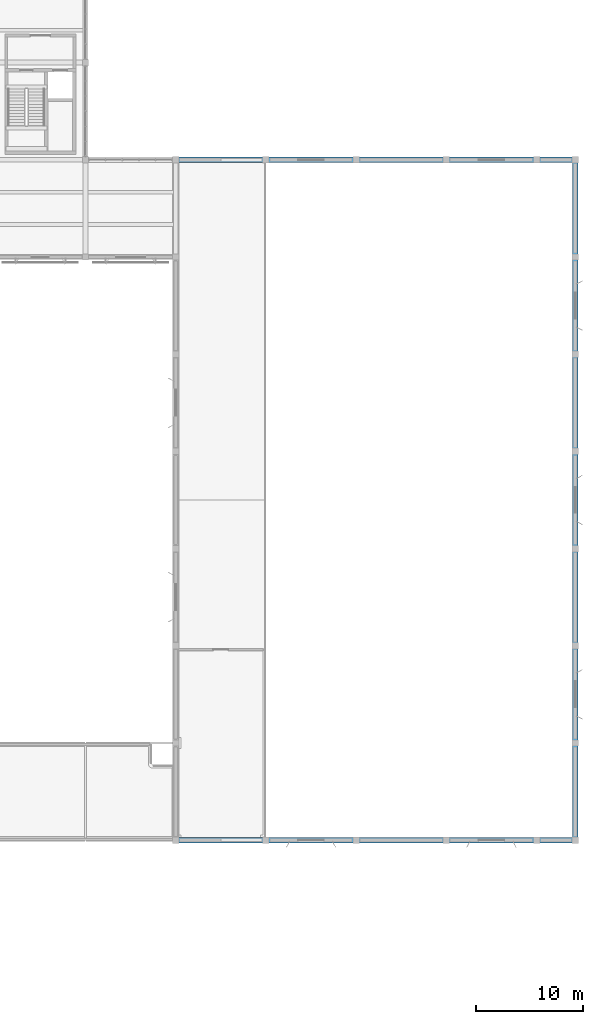
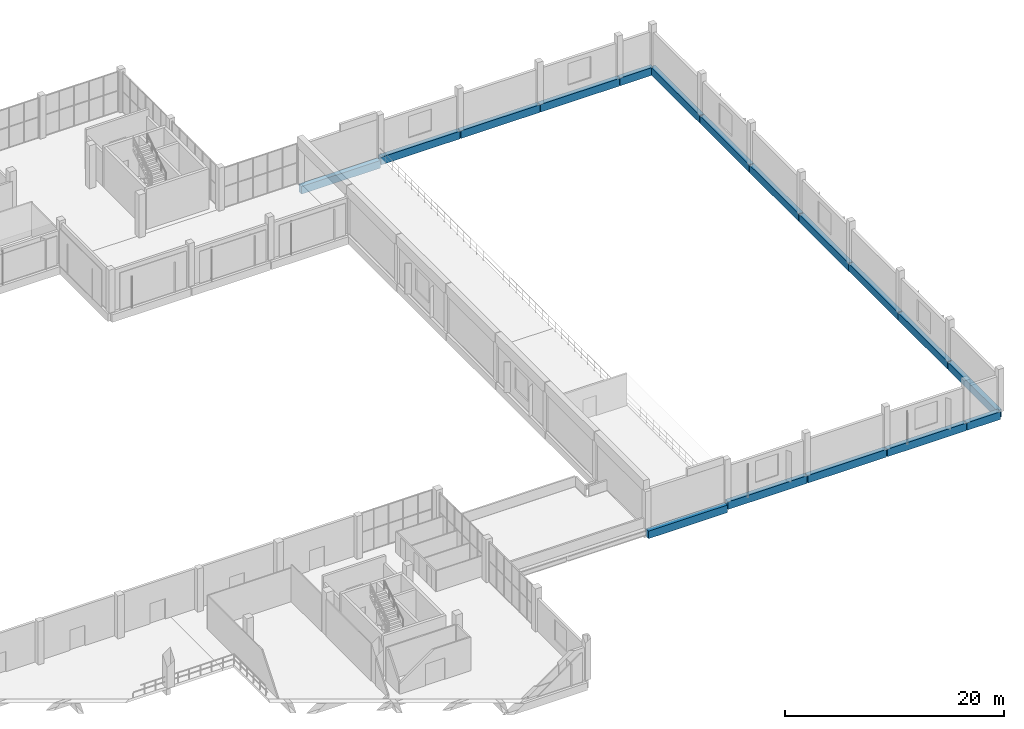
# One storey, part 41 of 80: 17 beams.
"""IFC4 building model written with IfcOpenShell, lengths in metres."""

from ifc_helpers import new_model, si_unit, direction, frame, origin, origin_2d, place, context, subcontext, project, spatial, rectangle, extrude, material, material_profile, profile_set, type_object, element, save


model = new_model("IFC4")

# Units and contexts
model_context = context("Model", 3, precision=1e-05, world=origin(), true_north=direction((0.0, 1.0)))
body_context = subcontext(model_context, "Body", "Model", "MODEL_VIEW")
ifc_project = project(units=[si_unit("LENGTHUNIT", "METRE"), si_unit("AREAUNIT", "SQUARE_METRE"), si_unit("VOLUMEUNIT", "CUBIC_METRE"), si_unit("PLANEANGLEUNIT", "RADIAN"), si_unit("MASSUNIT", "GRAM", prefix="KILO")], contexts=[model_context])

# Site, building, storey
site_placement = place(None, origin())
site = spatial("IfcSite", under=ifc_project, at=site_placement, CompositionType="ELEMENT")
building_placement = place(site_placement, origin())
building = spatial("IfcBuilding", under=site, at=building_placement, Name="Khurvash Pelagic Aquarium", CompositionType="ELEMENT")
storey_placement = place(building_placement, frame((0.0, 0.0, 10.800048828125)))
storey = spatial("IfcBuildingStorey", under=building, at=storey_placement, Name="L02", CompositionType="ELEMENT", Elevation=10.800048828125)

# Beams
ifc_material = material(Name="Concrete C40/50", Category="concrete")
ifc_material_profile = material_profile(ifc_material, rectangle(XDim=0.5, YDim=0.85009765625, at=origin_2d()), Name="RC500X850")
ifc_profile_set = profile_set([ifc_material_profile], Name="Concrete C40/50")
beam_type = type_object("IfcBeamType", Name="SEB-03", PredefinedType="SPANDREL", material=ifc_profile_set)
for number, where, z_axis, x_axis, name in (
    (1, (126.0400390625, 20.699951171875, -0.7451171875), (1.0, 0.0, 0.0), (0.0, 1.0, 0.0), "L02 Primary Girder SEB-03 00590"),
    (2, (126.0400390625, 84.050048828125, -0.7451171875), (1.0, 0.0, 0.0), (0.0, 1.0, 0.0), "L02 Primary Girder SEB-03 00624"),
    (3, (134.43994140625, 20.699951171875, -0.425048828125), (1.0, 0.0, 0.0), (0.0, 1.0, 0.0), "L02 Ocean Hall South Spandrel Tie Beam SEB-03"),
):
    element("IfcBeam", number, at=place(storey_placement, frame(where, z_axis=z_axis, x_axis=x_axis)), inside=storey, type_object=beam_type, Name=name, PredefinedType="SPANDREL", context=body_context, shape_type="SweptSolid", body=[
        extrude(rectangle(XDim=0.5, YDim=0.85009765625, at=origin_2d()), origin(), (0.0, 0.0, 1.0), 8.320068359375),
    ])
beam_1_placement = place(storey_placement, frame((142.840087890625, 20.699951171875, -0.425048828125), z_axis=(1.0, 0.0, 0.0), x_axis=(0.0, 1.0, 0.0)))
element("IfcBeam", 4, at=beam_1_placement, inside=storey, type_object=beam_type, Name="L02 Ocean Hall South Spandrel Tie Beam SEB-03", PredefinedType="SPANDREL", context=body_context, shape_type="SweptSolid", body=[
    extrude(rectangle(XDim=0.5, YDim=0.85009765625, at=origin_2d()), origin(), (0.0, 0.0, 1.0), 8.31982421875),
])
beam_2_placement = place(storey_placement, frame((151.239990234375, 20.699951171875, -0.425048828125), z_axis=(1.0, 0.0, 0.0), x_axis=(0.0, 1.0, 0.0)))
element("IfcBeam", 5, at=beam_2_placement, inside=storey, type_object=beam_type, Name="L02 Ocean Hall South Spandrel Tie Beam SEB-03", PredefinedType="SPANDREL", context=body_context, shape_type="SweptSolid", body=[
    extrude(rectangle(XDim=0.5, YDim=0.85009765625, at=origin_2d()), origin(), (0.0, 0.0, 1.0), 8.320068359375),
])
beam_3_placement = place(storey_placement, frame((159.639892578125, 20.699951171875, -0.425048828125), z_axis=(1.0, 0.0, 0.0), x_axis=(0.0, 1.0, 0.0)))
element("IfcBeam", 6, at=beam_3_placement, inside=storey, type_object=beam_type, Name="L02 Ocean Hall South Spandrel Tie Beam SEB-03", PredefinedType="SPANDREL", context=body_context, shape_type="SweptSolid", body=[
    extrude(rectangle(XDim=0.5, YDim=0.85009765625, at=origin_2d()), origin(), (0.0, 0.0, 1.0), 3.52001953125),
])
beam_4_placement = place(storey_placement, frame((134.43994140625, 84.050048828125, -0.425048828125), z_axis=(1.0, 0.0, 0.0), x_axis=(0.0, 1.0, 0.0)))
element("IfcBeam", 7, at=beam_4_placement, inside=storey, type_object=beam_type, Name="L02 Ocean Hall North Spandrel Tie Beam SEB-03", PredefinedType="SPANDREL", context=body_context, shape_type="SweptSolid", body=[
    extrude(rectangle(XDim=0.5, YDim=0.85009765625, at=origin_2d()), origin(), (0.0, 0.0, 1.0), 8.320068359375),
])
beam_5_placement = place(storey_placement, frame((142.840087890625, 84.050048828125, -0.425048828125), z_axis=(1.0, 0.0, 0.0), x_axis=(0.0, 1.0, 0.0)))
element("IfcBeam", 8, at=beam_5_placement, inside=storey, type_object=beam_type, Name="L02 Ocean Hall North Spandrel Tie Beam SEB-03", PredefinedType="SPANDREL", context=body_context, shape_type="SweptSolid", body=[
    extrude(rectangle(XDim=0.5, YDim=0.85009765625, at=origin_2d()), origin(), (0.0, 0.0, 1.0), 8.31982421875),
])
beam_6_placement = place(storey_placement, frame((151.239990234375, 84.050048828125, -0.425048828125), z_axis=(1.0, 0.0, 0.0), x_axis=(0.0, 1.0, 0.0)))
element("IfcBeam", 9, at=beam_6_placement, inside=storey, type_object=beam_type, Name="L02 Ocean Hall North Spandrel Tie Beam SEB-03", PredefinedType="SPANDREL", context=body_context, shape_type="SweptSolid", body=[
    extrude(rectangle(XDim=0.5, YDim=0.85009765625, at=origin_2d()), origin(), (0.0, 0.0, 1.0), 8.320068359375),
])
beam_7_placement = place(storey_placement, frame((159.639892578125, 84.050048828125, -0.425048828125), z_axis=(1.0, 0.0, 0.0), x_axis=(0.0, 1.0, 0.0)))
element("IfcBeam", 10, at=beam_7_placement, inside=storey, type_object=beam_type, Name="L02 Ocean Hall North Spandrel Tie Beam SEB-03", PredefinedType="SPANDREL", context=body_context, shape_type="SweptSolid", body=[
    extrude(rectangle(XDim=0.5, YDim=0.85009765625, at=origin_2d()), origin(), (0.0, 0.0, 1.0), 3.52001953125),
])
for number, where, z_axis, x_axis, name in (
    (11, (163.199951171875, 20.739990234375, -0.425048828125), (0.0, 1.0, 0.0), (-1.0, 0.0, 0.0), "L02 Ocean Hall East Spandrel Tie Beam SEB-03"),
    (12, (163.199951171875, 29.7900390625, -0.425048828125), (0.0, 1.0, 0.0), (-1.0, 0.0, 0.0), "L02 Ocean Hall East Spandrel Tie Beam SEB-03"),
    (13, (163.199951171875, 38.840087890625, -0.425048828125), (0.0, 1.0, 0.0), (-1.0, 0.0, 0.0), "L02 Ocean Hall East Spandrel Tie Beam SEB-03"),
):
    element("IfcBeam", number, at=place(storey_placement, frame(where, z_axis=z_axis, x_axis=x_axis)), inside=storey, type_object=beam_type, Name=name, PredefinedType="SPANDREL", context=body_context, shape_type="SweptSolid", body=[
        extrude(rectangle(XDim=0.5, YDim=0.85009765625, at=origin_2d()), origin(), (0.0, 0.0, 1.0), 8.969970703125),
    ])
beam_8_placement = place(storey_placement, frame((163.199951171875, 47.889892578125, -0.425048828125), z_axis=(0.0, 1.0, 0.0), x_axis=(-1.0, 0.0, 0.0)))
element("IfcBeam", 14, at=beam_8_placement, inside=storey, type_object=beam_type, Name="L02 Ocean Hall East Spandrel Tie Beam SEB-03", PredefinedType="SPANDREL", context=body_context, shape_type="SweptSolid", body=[
    extrude(rectangle(XDim=0.5, YDim=0.85009765625, at=origin_2d()), origin(), (0.0, 0.0, 1.0), 8.97021484375),
])
for number, where, z_axis, x_axis, name in (
    (15, (163.199951171875, 56.93994140625, -0.425048828125), (0.0, 1.0, 0.0), (-1.0, 0.0, 0.0), "L02 Ocean Hall East Spandrel Tie Beam SEB-03"),
    (16, (163.199951171875, 65.989990234375, -0.425048828125), (0.0, 1.0, 0.0), (-1.0, 0.0, 0.0), "L02 Ocean Hall East Spandrel Tie Beam SEB-03"),
    (17, (163.199951171875, 75.0400390625, -0.425048828125), (0.0, 1.0, 0.0), (-1.0, 0.0, 0.0), "L02 Ocean Hall East Spandrel Tie Beam SEB-03"),
):
    element("IfcBeam", number, at=place(storey_placement, frame(where, z_axis=z_axis, x_axis=x_axis)), inside=storey, type_object=beam_type, Name=name, PredefinedType="SPANDREL", context=body_context, shape_type="SweptSolid", body=[
        extrude(rectangle(XDim=0.5, YDim=0.85009765625, at=origin_2d()), origin(), (0.0, 0.0, 1.0), 8.969970703125),
    ])

save(model, "model.ifc")
